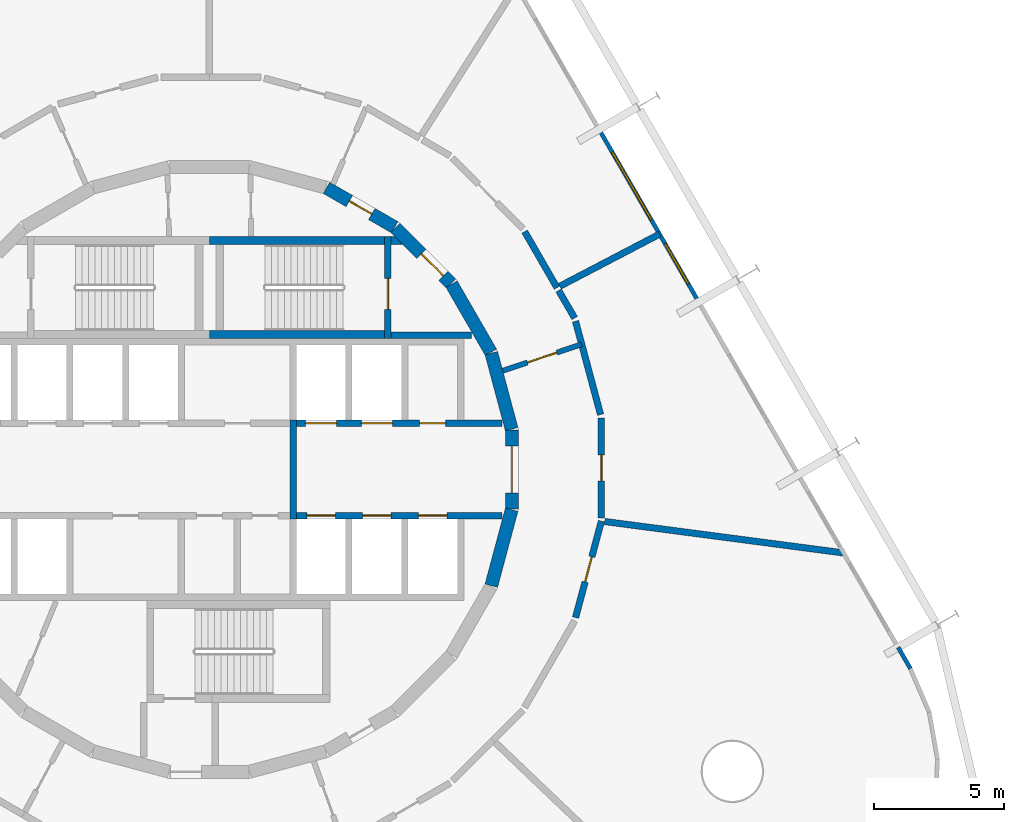
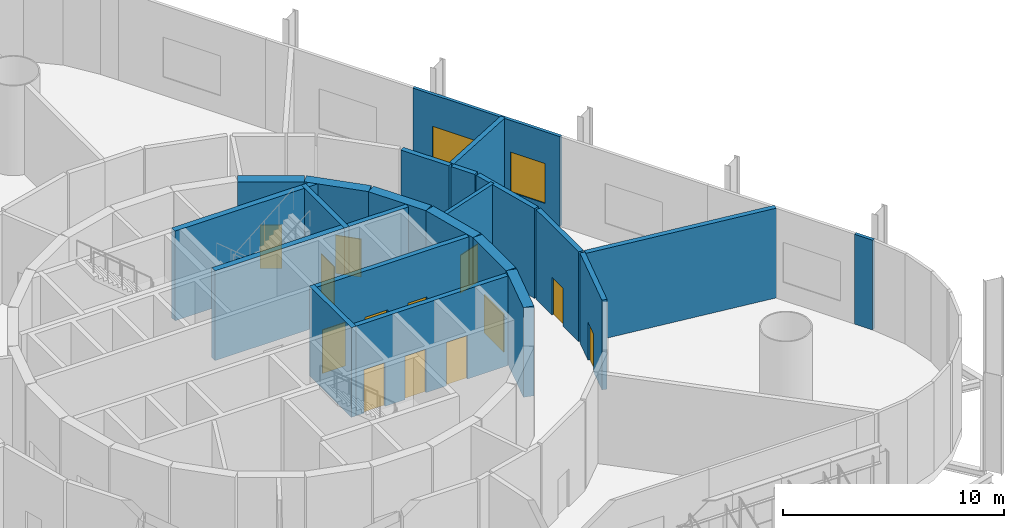
# One storey, part 8 of 11: 24 walls, 13 doors, 2 windows, 15 openings.
"""IFC4 building model written with IfcOpenShell, lengths in metres."""

from ifc_helpers import new_model, si_unit, direction, frame, frame_2d, origin, place, context, subcontext, project, spatial, polyline, rectangle, outline, extrude, material, layer, layer_set, type_object, element, fill, save


model = new_model("IFC4")

# Units and contexts
model_context = context("Model", 3, precision=1e-05, world=origin(), true_north=direction((0.0, 1.0)))
body_context = subcontext(model_context, "Body", "Model", "MODEL_VIEW")
ifc_project = project(units=[si_unit("LENGTHUNIT", "METRE"), si_unit("AREAUNIT", "SQUARE_METRE"), si_unit("VOLUMEUNIT", "CUBIC_METRE"), si_unit("PLANEANGLEUNIT", "RADIAN"), si_unit("MASSUNIT", "GRAM", prefix="KILO")], contexts=[model_context])

# Site, building, storey
site_placement = place(None, origin())
site = spatial("IfcSite", under=ifc_project, at=site_placement, CompositionType="ELEMENT")
building_placement = place(site_placement, origin())
building = spatial("IfcBuilding", under=site, at=building_placement, Name="Spindle Arch Residences", CompositionType="ELEMENT")
storey_placement = place(building_placement, frame((0.0, 0.0, 33.0)))
storey = spatial("IfcBuildingStorey", under=building, at=storey_placement, Name="L06", CompositionType="ELEMENT", Elevation=33.0)

# Wall
ifc_material_1 = material(Name="Concrete C50/60", Category="concrete")
ifc_layer_1 = layer(ifc_material_1, 0.5)
ifc_layer_set_1 = layer_set([ifc_layer_1], Name="Core outline wall 500")
wall_type_1 = type_object("IfcWallType", Name="Core outline wall 500", PredefinedType="SHEAR", material=ifc_layer_set_1)
wall_1_placement = place(storey_placement, frame((10.858154296875, -4.479248046875, 0.0), z_axis=(0.0, 0.0, 1.0), x_axis=(0.258734743916, 0.965948410781, 0.0)))
element("IfcWall", 1, at=wall_1_placement, inside=storey, type_object=wall_type_1, Name="Core outline wall 5", PredefinedType="SHEAR", context=body_context, shape_type="SweptSolid", body=[
    extrude(rectangle(XDim=3.03271484375, YDim=0.5, at=frame_2d((1.516357421875, 0.0))), origin(), (0.0, 0.0, 1.0), 4.949951171875),
])

# Wall, opening, door
wall_2_placement = place(storey_placement, frame((11.647216796875, -1.516357421875, 0.0), z_axis=(0.0, 0.0, 1.0), x_axis=(0.0, 1.0, 0.0)))
wall_2 = element("IfcWall", 2, at=wall_2_placement, inside=storey, type_object=wall_type_1, Name="Core outline wall 6", PredefinedType="SHEAR", context=body_context, shape_type="SweptSolid", body=[
    extrude(rectangle(XDim=3.03271484375, YDim=0.5, at=frame_2d((1.516357421875, 0.0))), origin(), (0.0, 0.0, 1.0), 4.949951171875),
])
opening_1_placement = place(wall_2_placement, frame((0.6162109375, 0.0, 0.0)))
opening_1 = element("IfcOpeningElement", 3, at=opening_1_placement, cuts=wall_2, Name="Opening L06-FE01", PredefinedType="OPENING", context=body_context, shape_type="SweptSolid", body=[
    extrude(rectangle(XDim=1.800048828125, YDim=2.10009765625, at=frame_2d((0.89990234375, 1.050048828125))), frame((0.0, 0.260009765625, 0.0), z_axis=(0.0, -1.0, 0.0), x_axis=(1.0, 0.0, 0.0)), (0.0, 0.0, 1.0), 0.52001953125),
])
ifc_material_2 = material(Name="Steel, fire-resisting door", Category="steel")
door_type_1 = type_object("IfcDoorType", Name="Fire-lift lobby door 1800x2100", OperationType="DOUBLE_DOOR_SINGLE_SWING", PredefinedType="DOOR", material=ifc_material_2)
door_1_placement = place(opening_1_placement, origin())
door_1 = element("IfcDoor", 4, at=door_1_placement, inside=storey, type_object=door_type_1, Name="Fire-lift lobby door L06-FE01", OperationType="DOUBLE_DOOR_SINGLE_SWING", OverallHeight=2.10009765625, OverallWidth=1.800048828125, PredefinedType="DOOR", context=body_context, shape_type="SweptSolid", body=[
    extrude(rectangle(XDim=1.800048828125, YDim=2.10009765625, at=frame_2d((0.89990234375, 1.050048828125))), frame((0.0, 0.02490234375, 0.0), z_axis=(0.0, -1.0, 0.0), x_axis=(1.0, 0.0, 0.0)), (0.0, 0.0, 1.0), 0.050048828125),
])
fill(opening_1, door_1)

# Walls
for number, where, z_axis, x_axis, name in (
    (5, (11.642822265625, 1.5498046875, 0.0), (0.0, 0.0, 1.0), (-0.258734743916, 0.965948410781, 0.0), "Core outline wall 7"),
    (6, (10.84521484375, 4.510498046875, 0.0), (0.0, 0.0, 1.0), (-0.500087131594, 0.865975092491, 0.0), "Core outline wall 8"),
):
    element("IfcWall", number, at=place(storey_placement, frame(where, z_axis=z_axis, x_axis=x_axis)), inside=storey, type_object=wall_type_1, Name=name, PredefinedType="SHEAR", context=body_context, shape_type="SweptSolid", body=[
        extrude(rectangle(XDim=3.03271484375, YDim=0.5, at=frame_2d((1.516357421875, 0.0))), origin(), (0.0, 0.0, 1.0), 4.949951171875),
    ])

# Wall, opening, door
wall_3_placement = place(storey_placement, frame((9.30810546875, 7.163818359375, 0.0), z_axis=(0.0, 0.0, 1.0), x_axis=(-0.707106781187, 0.707106781187, 0.0)))
wall_3 = element("IfcWall", 7, at=wall_3_placement, inside=storey, type_object=wall_type_1, Name="Core outline wall 9", PredefinedType="SHEAR", context=body_context, shape_type="SweptSolid", body=[
    extrude(rectangle(XDim=3.032470703125, YDim=0.5, at=frame_2d((1.51611328125, 0.0))), origin(), (0.0, 0.0, 1.0), 4.949951171875),
])
opening_2_placement = place(wall_3_placement, frame((0.416259765625, 0.0, 0.0)))
opening_2 = element("IfcOpeningElement", 8, at=opening_2_placement, cuts=wall_3, Name="Opening L06-AD01", PredefinedType="OPENING", context=body_context, shape_type="SweptSolid", body=[
    extrude(rectangle(XDim=1.199951171875, YDim=2.10009765625, at=frame_2d((0.60009765625, 1.050048828125))), frame((0.0, 0.260009765625, 0.0), z_axis=(0.0, -1.0, 0.0), x_axis=(1.0, 0.0, 0.0)), (0.0, 0.0, 1.0), 0.52001953125),
])
ifc_material_3 = material(Name="Steel, fire-resisting door", Category="steel")
door_type_2 = type_object("IfcDoorType", Name="Stair airlock door 1200x2100", OperationType="SINGLE_SWING_LEFT", PredefinedType="DOOR", material=ifc_material_3)
door_2_placement = place(opening_2_placement, origin())
door_2 = element("IfcDoor", 9, at=door_2_placement, inside=storey, type_object=door_type_2, Name="Stair airlock door L06-AD01", OperationType="SINGLE_SWING_RIGHT", OverallHeight=2.10009765625, OverallWidth=1.199951171875, PredefinedType="DOOR", context=body_context, shape_type="SweptSolid", body=[
    extrude(rectangle(XDim=1.199951171875, YDim=2.10009765625, at=frame_2d((0.60009765625, 1.050048828125))), frame((0.0, 0.02490234375, 0.0), z_axis=(0.0, -1.0, 0.0), x_axis=(1.0, 0.0, 0.0)), (0.0, 0.0, 1.0), 0.050048828125),
])
fill(opening_2, door_2)

wall_4_placement = place(storey_placement, frame((7.13671875, 9.32861328125, 0.0), z_axis=(0.0, 0.0, 1.0), x_axis=(-0.865975092491, 0.500087131594, 0.0)))
wall_4 = element("IfcWall", 10, at=wall_4_placement, inside=storey, type_object=wall_type_1, Name="Core outline wall 10", PredefinedType="SHEAR", context=body_context, shape_type="SweptSolid", body=[
    extrude(rectangle(XDim=3.03271484375, YDim=0.5, at=frame_2d((1.516357421875, 0.0))), origin(), (0.0, 0.0, 1.0), 4.949951171875),
])
opening_3_placement = place(wall_4_placement, frame((1.016357421875, 0.0, 0.0)))
opening_3 = element("IfcOpeningElement", 11, at=opening_3_placement, cuts=wall_4, Name="Opening L06-PD11", PredefinedType="OPENING", context=body_context, shape_type="SweptSolid", body=[
    extrude(rectangle(XDim=1.0, YDim=2.39990234375, at=frame_2d((0.5, 1.199951171875))), frame((0.0, 0.260009765625, 0.0), z_axis=(0.0, -1.0, 0.0), x_axis=(1.0, 0.0, 0.0)), (0.0, 0.0, 1.0), 0.52001953125),
])
ifc_material_4 = material(Name="Steel, fire-resisting door", Category="steel")
door_type_3 = type_object("IfcDoorType", Name="Plant room door 1000x2400", OperationType="SINGLE_SWING_LEFT", PredefinedType="DOOR", material=ifc_material_4)
door_3_placement = place(opening_3_placement, origin())
door_3 = element("IfcDoor", 12, at=door_3_placement, inside=storey, type_object=door_type_3, Name="Plant room door L06-PD11", OperationType="SINGLE_SWING_RIGHT", OverallHeight=2.39990234375, OverallWidth=1.0, PredefinedType="DOOR", context=body_context, shape_type="SweptSolid", body=[
    extrude(rectangle(XDim=1.0, YDim=2.39990234375, at=frame_2d((0.5, 1.199951171875))), frame((0.0, 0.02490234375, 0.0), z_axis=(0.0, -1.0, 0.0), x_axis=(1.0, 0.0, 0.0)), (0.0, 0.0, 1.0), 0.050048828125),
])
fill(opening_3, door_3)

# Wall, openings, doors
ifc_material_5 = material(Name="Concrete C40/50", Category="concrete")
ifc_layer_2 = layer(ifc_material_5, 0.25)
ifc_layer_set_2 = layer_set([ifc_layer_2], Name="Fire-lift lobby wall 250")
wall_type_2 = type_object("IfcWallType", Name="Fire-lift lobby wall 250", PredefinedType="SHEAR", material=ifc_layer_set_2)
wall_5_placement = place(storey_placement, frame((3.35009765625, 1.77490234375, 0.0), z_axis=(0.0, 0.0, 1.0), x_axis=(1.0, 0.0, 0.0)))
wall_5 = element("IfcWall", 13, at=wall_5_placement, inside=storey, type_object=wall_type_2, Name="Lift shaft front wall NE", PredefinedType="SHEAR", context=body_context, shape_type="SweptSolid", body=[
    extrude(rectangle(XDim=7.929931640625, YDim=0.25, at=frame_2d((3.96484375, 0.0))), origin(), (0.0, 0.0, 1.0), 4.949951171875),
])
opening_4_placement = place(wall_5_placement, frame((0.35009765625, 0.0, 0.0)))
opening_4 = element("IfcOpeningElement", 14, at=opening_4_placement, cuts=wall_5, Name="Opening L06-SLD01", PredefinedType="OPENING", context=body_context, shape_type="SweptSolid", body=[
    extrude(rectangle(XDim=1.199951171875, YDim=2.39990234375, at=frame_2d((0.60009765625, 1.199951171875))), frame((0.0, 0.135009765625, 0.0), z_axis=(0.0, -1.0, 0.0), x_axis=(1.0, 0.0, 0.0)), (0.0, 0.0, 1.0), 0.27001953125),
])
opening_5_placement = place(wall_5_placement, frame((2.5, 0.0, 0.0)))
opening_5 = element("IfcOpeningElement", 15, at=opening_5_placement, cuts=wall_5, Name="Opening L06-SLD02", PredefinedType="OPENING", context=body_context, shape_type="SweptSolid", body=[
    extrude(rectangle(XDim=1.199951171875, YDim=2.39990234375, at=frame_2d((0.60009765625, 1.199951171875))), frame((0.0, 0.135009765625, 0.0), z_axis=(0.0, -1.0, 0.0), x_axis=(1.0, 0.0, 0.0)), (0.0, 0.0, 1.0), 0.27001953125),
])
opening_6_placement = place(wall_5_placement, frame((4.75, 0.0, 0.0)))
opening_6 = element("IfcOpeningElement", 16, at=opening_6_placement, cuts=wall_5, Name="Opening L06-PD02", PredefinedType="OPENING", context=body_context, shape_type="SweptSolid", body=[
    extrude(rectangle(XDim=1.0, YDim=2.39990234375, at=frame_2d((0.5, 1.199951171875))), frame((0.0, 0.135009765625, 0.0), z_axis=(0.0, -1.0, 0.0), x_axis=(1.0, 0.0, 0.0)), (0.0, 0.0, 1.0), 0.27001953125),
])
door_4_placement = place(opening_6_placement, origin())
door_4 = element("IfcDoor", 17, at=door_4_placement, inside=storey, type_object=door_type_3, Name="Plant room door L06-PD02", OperationType="SINGLE_SWING_LEFT", OverallHeight=2.39990234375, OverallWidth=1.0, PredefinedType="DOOR", context=body_context, shape_type="SweptSolid", body=[
    extrude(rectangle(XDim=1.0, YDim=2.39990234375, at=frame_2d((0.5, 1.199951171875))), frame((0.0, 0.02490234375, 0.0), z_axis=(0.0, -1.0, 0.0), x_axis=(1.0, 0.0, 0.0)), (0.0, 0.0, 1.0), 0.050048828125),
])
fill(opening_6, door_4)
ifc_material_6 = material(Name="Steel, fire-resisting landing door", Category="steel")
door_type_4 = type_object("IfcDoorType", Name="Service lift landing door 1200x2400", OperationType="DOUBLE_DOOR_SLIDING", PredefinedType="DOOR", material=ifc_material_6)
door_5_placement = place(opening_4_placement, origin())
door_5 = element("IfcDoor", 18, at=door_5_placement, inside=storey, type_object=door_type_4, Name="Service lift landing door L06-SLD01", OperationType="DOUBLE_DOOR_SLIDING", OverallHeight=2.39990234375, OverallWidth=1.199951171875, PredefinedType="DOOR", context=body_context, shape_type="SweptSolid", body=[
    extrude(rectangle(XDim=1.199951171875, YDim=2.39990234375, at=frame_2d((0.60009765625, 1.199951171875))), frame((0.0, 0.02490234375, 0.0), z_axis=(0.0, -1.0, 0.0), x_axis=(1.0, 0.0, 0.0)), (0.0, 0.0, 1.0), 0.050048828125),
])
fill(opening_4, door_5)
door_6_placement = place(opening_5_placement, origin())
door_6 = element("IfcDoor", 19, at=door_6_placement, inside=storey, type_object=door_type_4, Name="Service lift landing door L06-SLD02", OperationType="DOUBLE_DOOR_SLIDING", OverallHeight=2.39990234375, OverallWidth=1.199951171875, PredefinedType="DOOR", context=body_context, shape_type="SweptSolid", body=[
    extrude(rectangle(XDim=1.199951171875, YDim=2.39990234375, at=frame_2d((0.60009765625, 1.199951171875))), frame((0.0, 0.02490234375, 0.0), z_axis=(0.0, -1.0, 0.0), x_axis=(1.0, 0.0, 0.0)), (0.0, 0.0, 1.0), 0.050048828125),
])
fill(opening_5, door_6)

# Wall
wall_6_placement = place(storey_placement, frame((3.22509765625, -1.89990234375, 0.0), z_axis=(0.0, 0.0, 1.0), x_axis=(0.0, 1.0, 0.0)))
element("IfcWall", 20, at=wall_6_placement, inside=storey, type_object=wall_type_2, Name="Fire-fighting lobby partition", PredefinedType="SHEAR", context=body_context, shape_type="SweptSolid", body=[
    extrude(rectangle(XDim=3.7998046875, YDim=0.25, at=frame_2d((1.89990234375, 0.0))), origin(), (0.0, 0.0, 1.0), 4.949951171875),
])

# Wall, openings, doors
ifc_material_7 = material(Name="Concrete C50/60", Category="concrete")
ifc_layer_3 = layer(ifc_material_7, 0.25)
ifc_layer_set_3 = layer_set([ifc_layer_3], Name="Fire-lift shaft wall 250")
wall_type_3 = type_object("IfcWallType", Name="Fire-lift shaft wall 250", PredefinedType="SHEAR", material=ifc_layer_set_3)
wall_7_placement = place(storey_placement, frame((3.35009765625, -1.77490234375, 0.0), z_axis=(0.0, 0.0, 1.0), x_axis=(1.0, 0.0, 0.0)))
wall_7 = element("IfcWall", 21, at=wall_7_placement, inside=storey, type_object=wall_type_3, Name="Lift shaft front wall SE", PredefinedType="SHEAR", context=body_context, shape_type="SweptSolid", body=[
    extrude(rectangle(XDim=7.929931640625, YDim=0.25, at=frame_2d((3.96484375, 0.0))), origin(), (0.0, 0.0, 1.0), 4.949951171875),
])
opening_7_placement = place(wall_7_placement, frame((0.39990234375, 0.0, 0.0)))
opening_7 = element("IfcOpeningElement", 22, at=opening_7_placement, cuts=wall_7, Name="Opening L06-FLD01", PredefinedType="OPENING", context=body_context, shape_type="SweptSolid", body=[
    extrude(rectangle(XDim=1.10009765625, YDim=2.39990234375, at=frame_2d((0.550048828125, 1.199951171875))), frame((0.0, 0.135009765625, 0.0), z_axis=(0.0, -1.0, 0.0), x_axis=(1.0, 0.0, 0.0)), (0.0, 0.0, 1.0), 0.27001953125),
])
opening_8_placement = place(wall_7_placement, frame((2.550048828125, 0.0, 0.0)))
opening_8 = element("IfcOpeningElement", 23, at=opening_8_placement, cuts=wall_7, Name="Opening L06-FLD02", PredefinedType="OPENING", context=body_context, shape_type="SweptSolid", body=[
    extrude(rectangle(XDim=1.10009765625, YDim=2.39990234375, at=frame_2d((0.550048828125, 1.199951171875))), frame((0.0, 0.135009765625, 0.0), z_axis=(0.0, -1.0, 0.0), x_axis=(1.0, 0.0, 0.0)), (0.0, 0.0, 1.0), 0.27001953125),
])
opening_9_placement = place(wall_7_placement, frame((4.699951171875, 0.0, 0.0)))
opening_9 = element("IfcOpeningElement", 24, at=opening_9_placement, cuts=wall_7, Name="Opening L06-FLD03", PredefinedType="OPENING", context=body_context, shape_type="SweptSolid", body=[
    extrude(rectangle(XDim=1.10009765625, YDim=2.39990234375, at=frame_2d((0.550048828125, 1.199951171875))), frame((0.0, 0.135009765625, 0.0), z_axis=(0.0, -1.0, 0.0), x_axis=(1.0, 0.0, 0.0)), (0.0, 0.0, 1.0), 0.27001953125),
])
ifc_material_8 = material(Name="Steel, fire-resisting landing door", Category="steel")
door_type_5 = type_object("IfcDoorType", Name="Fire-fighting lift landing door 1100x2400", OperationType="DOUBLE_DOOR_SLIDING", PredefinedType="DOOR", material=ifc_material_8)
door_7_placement = place(opening_7_placement, origin())
door_7 = element("IfcDoor", 25, at=door_7_placement, inside=storey, type_object=door_type_5, Name="Fire-fighting lift landing door L06-FLD01", OperationType="DOUBLE_DOOR_SLIDING", OverallHeight=2.39990234375, OverallWidth=1.10009765625, PredefinedType="DOOR", context=body_context, shape_type="SweptSolid", body=[
    extrude(rectangle(XDim=1.10009765625, YDim=2.39990234375, at=frame_2d((0.550048828125, 1.199951171875))), frame((0.0, 0.02490234375, 0.0), z_axis=(0.0, -1.0, 0.0), x_axis=(1.0, 0.0, 0.0)), (0.0, 0.0, 1.0), 0.050048828125),
])
fill(opening_7, door_7)
door_8_placement = place(opening_8_placement, origin())
door_8 = element("IfcDoor", 26, at=door_8_placement, inside=storey, type_object=door_type_5, Name="Fire-fighting lift landing door L06-FLD02", OperationType="DOUBLE_DOOR_SLIDING", OverallHeight=2.39990234375, OverallWidth=1.10009765625, PredefinedType="DOOR", context=body_context, shape_type="SweptSolid", body=[
    extrude(rectangle(XDim=1.10009765625, YDim=2.39990234375, at=frame_2d((0.550048828125, 1.199951171875))), frame((0.0, 0.02490234375, 0.0), z_axis=(0.0, -1.0, 0.0), x_axis=(1.0, 0.0, 0.0)), (0.0, 0.0, 1.0), 0.050048828125),
])
fill(opening_8, door_8)
door_9_placement = place(opening_9_placement, origin())
door_9 = element("IfcDoor", 27, at=door_9_placement, inside=storey, type_object=door_type_5, Name="Fire-fighting lift landing door L06-FLD03", OperationType="DOUBLE_DOOR_SLIDING", OverallHeight=2.39990234375, OverallWidth=1.10009765625, PredefinedType="DOOR", context=body_context, shape_type="SweptSolid", body=[
    extrude(rectangle(XDim=1.10009765625, YDim=2.39990234375, at=frame_2d((0.550048828125, 1.199951171875))), frame((0.0, 0.02490234375, 0.0), z_axis=(0.0, -1.0, 0.0), x_axis=(1.0, 0.0, 0.0)), (0.0, 0.0, 1.0), 0.050048828125),
])
fill(opening_9, door_9)

# Wall
ifc_material_9 = material(Name="Non-combustible mineral wool insulated aluminium faced external wall (K0)", Category="aluminium")
ifc_layer_4 = layer(ifc_material_9, 0.159912109375)
ifc_layer_set_4 = layer_set([ifc_layer_4], Name="Insulated external wall panel 160")
wall_type_4 = type_object("IfcWallType", Name="Insulated external wall panel 160", PredefinedType="STANDARD", material=ifc_layer_set_4)
wall_8_placement = place(storey_placement, frame((27.003662109375, -7.671875, 0.0), z_axis=(0.0, 0.0, 1.0), x_axis=(-0.499998034377, 0.866026538634, 0.0)))
element("IfcWall", 28, at=wall_8_placement, inside=storey, type_object=wall_type_4, Name="Plant wall L06 bay 5.4", PredefinedType="STANDARD", context=body_context, shape_type="SweptSolid", body=[
    extrude(rectangle(XDim=0.94580078125, YDim=0.159912109375, at=frame_2d((0.472900390625, 0.0))), origin(), (0.0, 0.0, 1.0), 4.949951171875),
])

# Wall, openings, windows
wall_9_placement = place(storey_placement, frame((18.850830078125, 6.449462890625, 0.0), z_axis=(0.0, 0.0, 1.0), x_axis=(-0.500005879718, 0.866022009101, 0.0)))
wall_9 = element("IfcWall", 29, at=wall_9_placement, inside=storey, type_object=wall_type_4, Name="Plant wall L06 bay 8", PredefinedType="STANDARD", context=body_context, shape_type="SweptSolid", body=[
    extrude(rectangle(XDim=7.68017578125, YDim=0.159912109375, at=frame_2d((3.840087890625, 0.0))), origin(), (0.0, 0.0, 1.0), 4.949951171875),
])
opening_10_placement = place(wall_9_placement, frame((0.7978515625, 0.0, 1.0)))
opening_10 = element("IfcOpeningElement", 30, at=opening_10_placement, cuts=wall_9, Name="Opening LW3", PredefinedType="OPENING", context=body_context, shape_type="SweptSolid", body=[
    extrude(rectangle(XDim=1.800048828125, YDim=2.199951171875, at=frame_2d((0.89990234375, 1.10009765625))), frame((0.0, 0.08984375, 0.0), z_axis=(0.0, -1.0, 0.0), x_axis=(1.0, 0.0, 0.0)), (0.0, 0.0, 1.0), 0.179931640625),
])
opening_11_placement = place(wall_9_placement, frame((3.6630859375, 0.0, 1.0)))
opening_11 = element("IfcOpeningElement", 31, at=opening_11_placement, cuts=wall_9, Name="Opening LW1", PredefinedType="OPENING", context=body_context, shape_type="SweptSolid", body=[
    extrude(rectangle(XDim=3.0, YDim=2.199951171875, at=frame_2d((1.5, 1.10009765625))), frame((0.0, 0.08984375, 0.0), z_axis=(0.0, -1.0, 0.0), x_axis=(1.0, 0.0, 0.0)), (0.0, 0.0, 1.0), 0.179931640625),
])
ifc_material_10 = material(Name="Bronze anodised aluminium fixed louvre", Category="aluminium")
window_type_1 = type_object("IfcWindowType", Name="Plant louvre opening 1800x2200", PartitioningType="SINGLE_PANEL", PredefinedType="WINDOW", material=ifc_material_10)
window_1_placement = place(opening_10_placement, origin())
window_1 = element("IfcWindow", 32, at=window_1_placement, inside=storey, type_object=window_type_1, Name="Louvre opening L06 bay 8.1", OverallHeight=2.199951171875, OverallWidth=1.800048828125, PartitioningType="SINGLE_PANEL", PredefinedType="WINDOW", context=body_context, shape_type="SweptSolid", body=[
    extrude(rectangle(XDim=1.800048828125, YDim=2.199951171875, at=frame_2d((0.89990234375, 1.10009765625))), frame((0.0, 0.030029296875, 0.0), z_axis=(0.0, -1.0, 0.0), x_axis=(1.0, 0.0, 0.0)), (0.0, 0.0, 1.0), 0.06005859375),
])
fill(opening_10, window_1)
ifc_material_11 = material(Name="Bronze anodised aluminium fixed louvre", Category="aluminium")
window_type_2 = type_object("IfcWindowType", Name="Plant louvre opening 3000x2200", PartitioningType="SINGLE_PANEL", PredefinedType="WINDOW", material=ifc_material_11)
window_2_placement = place(opening_11_placement, origin())
window_2 = element("IfcWindow", 33, at=window_2_placement, inside=storey, type_object=window_type_2, Name="Louvre opening L06 bay 8.2", OverallHeight=2.199951171875, OverallWidth=3.0, PartitioningType="SINGLE_PANEL", PredefinedType="WINDOW", context=body_context, shape_type="SweptSolid", body=[
    extrude(rectangle(XDim=3.0, YDim=2.199951171875, at=frame_2d((1.5, 1.10009765625))), frame((0.0, 0.030029296875, 0.0), z_axis=(0.0, -1.0, 0.0), x_axis=(1.0, 0.0, 0.0)), (0.0, 0.0, 1.0), 0.06005859375),
])
fill(opening_11, window_2)

# Wall, opening, door
ifc_material_12 = material(Name="Concrete C25/30 wall", Category="concrete")
ifc_layer_5 = layer(ifc_material_12, 0.25)
ifc_layer_set_5 = layer_set([ifc_layer_5], Name="Partition EI 120 250 plant")
wall_type_5 = type_object("IfcWallType", Name="Partition EI 120 250 plant", PredefinedType="PARTITIONING", material=ifc_layer_set_5)
wall_10_placement = place(storey_placement, frame((14.102294921875, -5.709228515625, 0.0), z_axis=(0.0, 0.0, 1.0), x_axis=(0.259118468411, 0.965845546311, 0.0)))
wall_10 = element("IfcWall", 34, at=wall_10_placement, inside=storey, type_object=wall_type_5, Name="L06-W045", PredefinedType="PARTITIONING", context=body_context, shape_type="SweptSolid", body=[
    extrude(rectangle(XDim=3.850830078125, YDim=0.25, at=frame_2d((1.92529296875, 0.0))), origin(), (0.0, 0.0, 1.0), 4.949951171875),
])
opening_12_placement = place(wall_10_placement, frame((1.42529296875, 0.0, 0.0)))
opening_12 = element("IfcOpeningElement", 35, at=opening_12_placement, cuts=wall_10, Name="Opening L06-D04", PredefinedType="OPENING", context=body_context, shape_type="SweptSolid", body=[
    extrude(rectangle(XDim=1.0, YDim=2.10009765625, at=frame_2d((0.5, 1.050048828125))), frame((0.0, 0.135009765625, 0.0), z_axis=(0.0, -1.0, 0.0), x_axis=(1.0, 0.0, 0.0)), (0.0, 0.0, 1.0), 0.27001953125),
])
ifc_material_13 = material(Name="Steel door leaf, painted", Category="steel")
door_type_6 = type_object("IfcDoorType", Name="Door 1000x2100 EI 60", OperationType="SINGLE_SWING_LEFT", PredefinedType="DOOR", material=ifc_material_13)
door_10_placement = place(opening_12_placement, origin())
door_10 = element("IfcDoor", 36, at=door_10_placement, inside=storey, type_object=door_type_6, Name="L06-D04", OperationType="SINGLE_SWING_LEFT", OverallHeight=2.10009765625, OverallWidth=1.0, PredefinedType="DOOR", context=body_context, shape_type="SweptSolid", body=[
    extrude(rectangle(XDim=1.0, YDim=2.10009765625, at=frame_2d((0.5, 1.050048828125))), frame((0.0, 0.02490234375, 0.0), z_axis=(0.0, -1.0, 0.0), x_axis=(1.0, 0.0, 0.0)), (0.0, 0.0, 1.0), 0.050048828125),
])
fill(opening_12, door_10)

# Wall
wall_11_placement = place(storey_placement, frame((14.070068359375, 5.830078125, 0.0), z_axis=(0.0, 0.0, 1.0), x_axis=(-0.502547897079, 0.864549368828, 0.0)))
element("IfcWall", 37, at=wall_11_placement, inside=storey, type_object=wall_type_5, Name="L06-W046", PredefinedType="PARTITIONING", context=body_context, shape_type="SweptSolid", body=[
    extrude(rectangle(XDim=1.22802734375, YDim=0.25, at=frame_2d((0.614013671875, 0.0))), origin(), (0.0, 0.0, 1.0), 4.949951171875),
])

# Wall, opening, door
wall_12_placement = place(storey_placement, frame((15.10009765625, -1.864990234375, 0.0), z_axis=(0.0, 0.0, 1.0), x_axis=(0.0, 1.0, 0.0)))
wall_12 = element("IfcWall", 38, at=wall_12_placement, inside=storey, type_object=wall_type_5, Name="L06-W048", PredefinedType="PARTITIONING", context=body_context, shape_type="SweptSolid", body=[
    extrude(rectangle(XDim=3.85498046875, YDim=0.25, at=frame_2d((1.927490234375, 0.0))), origin(), (0.0, 0.0, 1.0), 4.949951171875),
])
opening_13_placement = place(wall_12_placement, frame((1.427490234375, 0.0, 0.0)))
opening_13 = element("IfcOpeningElement", 39, at=opening_13_placement, cuts=wall_12, Name="Opening L06-D06", PredefinedType="OPENING", context=body_context, shape_type="SweptSolid", body=[
    extrude(rectangle(XDim=1.0, YDim=2.10009765625, at=frame_2d((0.5, 1.050048828125))), frame((0.0, 0.135009765625, 0.0), z_axis=(0.0, -1.0, 0.0), x_axis=(1.0, 0.0, 0.0)), (0.0, 0.0, 1.0), 0.27001953125),
])
door_11_placement = place(opening_13_placement, origin())
door_11 = element("IfcDoor", 40, at=door_11_placement, inside=storey, type_object=door_type_6, Name="L06-D06", OperationType="SINGLE_SWING_LEFT", OverallHeight=2.10009765625, OverallWidth=1.0, PredefinedType="DOOR", context=body_context, shape_type="SweptSolid", body=[
    extrude(rectangle(XDim=1.0, YDim=2.10009765625, at=frame_2d((0.5, 1.050048828125))), frame((0.0, 0.02490234375, 0.0), z_axis=(0.0, -1.0, 0.0), x_axis=(1.0, 0.0, 0.0)), (0.0, 0.0, 1.0), 0.050048828125),
])
fill(opening_13, door_11)

# Walls
wall_13_placement = place(storey_placement, frame((15.223876953125, -2.00634765625, 0.0), z_axis=(0.0, 0.0, 1.0), x_axis=(0.991467059625, -0.130357468824, 0.0)))
element("IfcWall", 41, at=wall_13_placement, inside=storey, type_object=wall_type_5, Name="L06-W049", PredefinedType="PARTITIONING", context=body_context, shape_type="SweptSolid", body=[
    extrude(rectangle(XDim=9.30615234375, YDim=0.25, at=frame_2d((4.653076171875, 0.0))), origin(), (0.0, 0.0, 1.0), 4.949951171875),
])
wall_14_placement = place(storey_placement, frame((15.067626953125, 2.11083984375, 0.0), z_axis=(0.0, 0.0, 1.0), x_axis=(-0.259106201401, 0.965848837239, 0.0)))
element("IfcWall", 42, at=wall_14_placement, inside=storey, type_object=wall_type_5, Name="L06-W050", PredefinedType="PARTITIONING", context=body_context, shape_type="SweptSolid", body=[
    extrude(rectangle(XDim=3.7255859375, YDim=0.25, at=frame_2d((1.86279296875, 0.0))), origin(), (0.0, 0.0, 1.0), 4.949951171875),
])

# Wall, opening, door
ifc_material_14 = material(Name="Gypsum board partition on steel studs", Category="steel")
ifc_layer_6 = layer(ifc_material_14, 0.199951171875)
ifc_layer_set_6 = layer_set([ifc_layer_6], Name="Partition EI 60 200 amenity")
wall_type_6 = type_object("IfcWallType", Name="Partition EI 60 200 amenity", PredefinedType="PARTITIONING", material=ifc_layer_set_6)
wall_15_placement = place(storey_placement, frame((14.340087890625, 4.820068359375, 0.0), z_axis=(0.0, 0.0, 1.0), x_axis=(-0.94805712629, -0.318100118345, 0.0)))
wall_15 = element("IfcWall", 43, at=wall_15_placement, inside=storey, type_object=wall_type_6, Name="L06-W047", PredefinedType="PARTITIONING", context=body_context, shape_type="SweptSolid", body=[
    extrude(rectangle(XDim=3.20654296875, YDim=0.199951171875, at=frame_2d((1.603271484375, 0.0))), origin(), (0.0, 0.0, 1.0), 4.949951171875),
])
opening_14_placement = place(wall_15_placement, frame((1.00341796875, 0.0, 0.0)))
opening_14 = element("IfcOpeningElement", 44, at=opening_14_placement, cuts=wall_15, Name="Opening L06-D17", PredefinedType="OPENING", context=body_context, shape_type="SweptSolid", body=[
    extrude(rectangle(XDim=1.199951171875, YDim=2.10009765625, at=frame_2d((0.60009765625, 1.050048828125))), frame((0.0, 0.10986328125, 0.0), z_axis=(0.0, -1.0, 0.0), x_axis=(1.0, 0.0, 0.0)), (0.0, 0.0, 1.0), 0.219970703125),
])
ifc_material_15 = material(Name="Steel door leaf, painted", Category="steel")
door_type_7 = type_object("IfcDoorType", Name="Door 1200x2100 EI 60", OperationType="SINGLE_SWING_LEFT", PredefinedType="DOOR", material=ifc_material_15)
door_12_placement = place(opening_14_placement, origin())
door_12 = element("IfcDoor", 45, at=door_12_placement, inside=storey, type_object=door_type_7, Name="L06-D17", OperationType="SINGLE_SWING_LEFT", OverallHeight=2.10009765625, OverallWidth=1.199951171875, PredefinedType="DOOR", context=body_context, shape_type="SweptSolid", body=[
    extrude(rectangle(XDim=1.199951171875, YDim=2.10009765625, at=frame_2d((0.60009765625, 1.050048828125))), frame((0.0, 0.02490234375, 0.0), z_axis=(0.0, -1.0, 0.0), x_axis=(1.0, 0.0, 0.0)), (0.0, 0.0, 1.0), 0.050048828125),
])
fill(opening_14, door_12)

# Walls
ifc_material_16 = material(Name="Concrete C25/30 wall", Category="concrete")
ifc_layer_7 = layer(ifc_material_16, 0.25)
ifc_layer_set_7 = layer_set([ifc_layer_7], Name="Partition REI 120 250 refuge")
wall_type_7 = type_object("IfcWallType", Name="Partition REI 120 250 refuge", PredefinedType="PARTITIONING", material=ifc_layer_set_7)
wall_16_placement = place(storey_placement, frame((13.389892578125, 7.0, 0.0), z_axis=(0.0, 0.0, 1.0), x_axis=(-0.499790202325, 0.86614649665, 0.0)))
element("IfcWall", 46, at=wall_16_placement, inside=storey, type_object=wall_type_7, Name="L06-W044", PredefinedType="PARTITIONING", context=body_context, shape_type="SweptSolid", body=[
    extrude(rectangle(XDim=2.49560546875, YDim=0.25, at=frame_2d((1.247802734375, 0.0))), origin(), (0.0, 0.0, 1.0), 4.949951171875),
])
wall_17_placement = place(storey_placement, frame((17.339111328125, 9.06298828125, 0.0), z_axis=(0.0, 0.0, 1.0), x_axis=(-0.886348502882, -0.463018716078, 0.0)))
element("IfcWall", 47, at=wall_17_placement, inside=storey, type_object=wall_type_7, Name="L06-W051", PredefinedType="PARTITIONING", context=body_context, shape_type="SweptSolid", body=[
    extrude(rectangle(XDim=4.33056640625, YDim=0.25, at=frame_2d((2.165283203125, 0.0))), origin(), (0.0, 0.0, 1.0), 4.949951171875),
])
ifc_material_17 = material(Name="Concrete C40/50", Category="concrete")
ifc_layer_8 = layer(ifc_material_17, 0.25)
ifc_layer_set_8 = layer_set([ifc_layer_8], Name="Stair airlock wall 250")
wall_type_8 = type_object("IfcWallType", Name="Stair airlock wall 250", PredefinedType="SHEAR", material=ifc_layer_set_8)
wall_18_placement = place(storey_placement, frame((7.0, 5.175048828125, 0.0), z_axis=(0.0, 0.0, 1.0), x_axis=(1.0, 0.0, 0.0)))
element("IfcWall", 48, at=wall_18_placement, inside=storey, type_object=wall_type_8, Name="Stair ST-1 airlock wall S", PredefinedType="SHEAR", context=body_context, shape_type="SweptSolid", body=[
    extrude(rectangle(XDim=3.10009765625, YDim=0.25, at=frame_2d((1.550048828125, 0.0))), origin(), (0.0, 0.0, 1.0), 4.949951171875),
])
ifc_material_18 = material(Name="Concrete C40/50", Category="concrete")
wall_type_9 = type_object("IfcWallType", Name="Stair airlock wall profile", PredefinedType="SHEAR", material=ifc_material_18)
wall_19_placement = place(storey_placement, origin())
element("IfcWall", 49, at=wall_19_placement, inside=storey, type_object=wall_type_9, Name="Stair ST-1 airlock wall N", PredefinedType="SHEAR", context=body_context, shape_type="SweptSolid", body=[
    extrude(outline(polyline([(7.4482421875, 8.669921875), (7.0, 8.669921875), (7.0, 8.969970703125), (7.148193359375, 8.969970703125), (7.4482421875, 8.669921875)])), origin(), (0.0, 0.0, 1.0), 4.949951171875),
])

# Wall, opening, door
ifc_material_19 = material(Name="Concrete C50/60", Category="concrete")
ifc_layer_9 = layer(ifc_material_19, 0.25)
ifc_layer_set_9 = layer_set([ifc_layer_9], Name="Stair enclosure wall 250")
wall_type_10 = type_object("IfcWallType", Name="Stair enclosure wall 250", PredefinedType="SHEAR", material=ifc_layer_set_9)
wall_20_placement = place(storey_placement, frame((6.875, 5.050048828125, 0.0), z_axis=(0.0, 0.0, 1.0), x_axis=(0.0, 1.0, 0.0)))
wall_20 = element("IfcWall", 50, at=wall_20_placement, inside=storey, type_object=wall_type_10, Name="Stair ST-1 door wall", PredefinedType="SHEAR", context=body_context, shape_type="SweptSolid", body=[
    extrude(rectangle(XDim=3.919921875, YDim=0.25, at=frame_2d((1.9599609375, 0.0))), origin(), (0.0, 0.0, 1.0), 4.949951171875),
])
opening_15_placement = place(wall_20_placement, frame((1.110107421875, 0.0, 0.0)))
opening_15 = element("IfcOpeningElement", 51, at=opening_15_placement, cuts=wall_20, Name="Opening L06-SD01", PredefinedType="OPENING", context=body_context, shape_type="SweptSolid", body=[
    extrude(rectangle(XDim=1.199951171875, YDim=2.10009765625, at=frame_2d((0.60009765625, 1.050048828125))), frame((0.0, 0.135009765625, 0.0), z_axis=(0.0, -1.0, 0.0), x_axis=(1.0, 0.0, 0.0)), (0.0, 0.0, 1.0), 0.27001953125),
])
ifc_material_20 = material(Name="Steel, fire-resisting door", Category="steel")
door_type_8 = type_object("IfcDoorType", Name="Stair door 1200x2100", OperationType="SINGLE_SWING_RIGHT", PredefinedType="DOOR", material=ifc_material_20)
door_13_placement = place(opening_15_placement, origin())
door_13 = element("IfcDoor", 52, at=door_13_placement, inside=storey, type_object=door_type_8, Name="Stair door L06-SD01", OperationType="SINGLE_SWING_LEFT", OverallHeight=2.10009765625, OverallWidth=1.199951171875, PredefinedType="DOOR", context=body_context, shape_type="SweptSolid", body=[
    extrude(rectangle(XDim=1.199951171875, YDim=2.10009765625, at=frame_2d((0.60009765625, 1.050048828125))), frame((0.0, 0.02490234375, 0.0), z_axis=(0.0, -1.0, 0.0), x_axis=(1.0, 0.0, 0.0)), (0.0, 0.0, 1.0), 0.050048828125),
])
fill(opening_15, door_13)

# Walls
ifc_material_21 = material(Name="Concrete C50/60", Category="concrete")
ifc_layer_10 = layer(ifc_material_21, 0.300048828125)
ifc_layer_set_10 = layer_set([ifc_layer_10], Name="Stair enclosure wall 300")
wall_type_11 = type_object("IfcWallType", Name="Stair enclosure wall 300", PredefinedType="SHEAR", material=ifc_layer_set_10)
for number, where, z_axis, x_axis, name in (
    (53, (0.0, 5.199951171875, 0.0), (0.0, 0.0, 1.0), (1.0, 0.0, 0.0), "Stair ST-1 enclosure wall S"),
    (54, (0.0, 8.820068359375, 0.0), (0.0, 0.0, 1.0), (1.0, 0.0, 0.0), "Stair ST-1 enclosure wall N"),
):
    element("IfcWall", number, at=place(storey_placement, frame(where, z_axis=z_axis, x_axis=x_axis)), inside=storey, type_object=wall_type_11, Name=name, PredefinedType="SHEAR", context=body_context, shape_type="SweptSolid", body=[
        extrude(rectangle(XDim=6.75, YDim=0.300048828125, at=frame_2d((3.375, 0.0))), origin(), (0.0, 0.0, 1.0), 4.949951171875),
    ])

save(model, "model.ifc")
